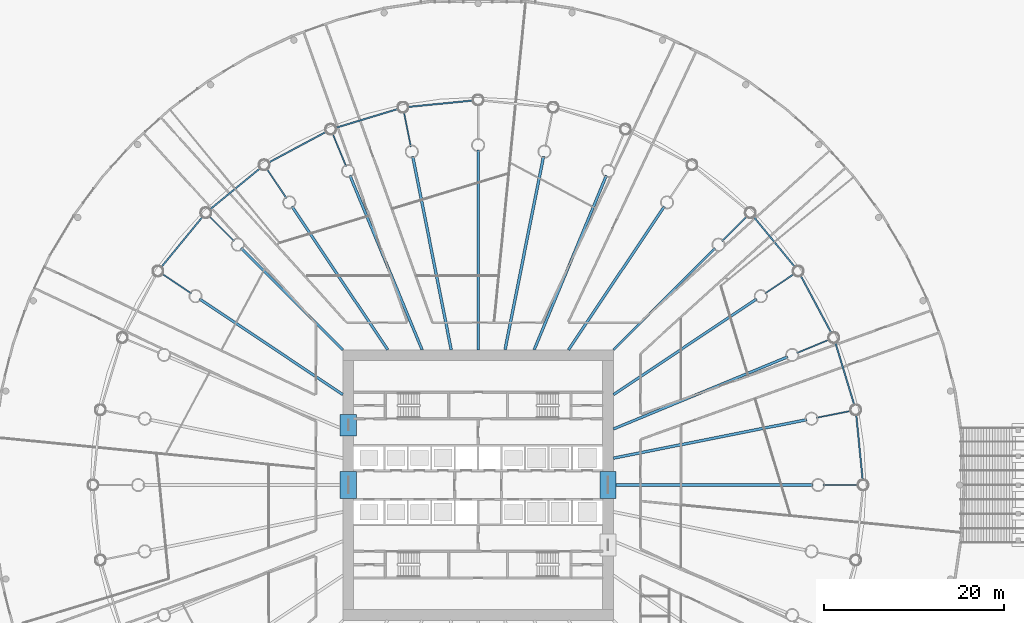
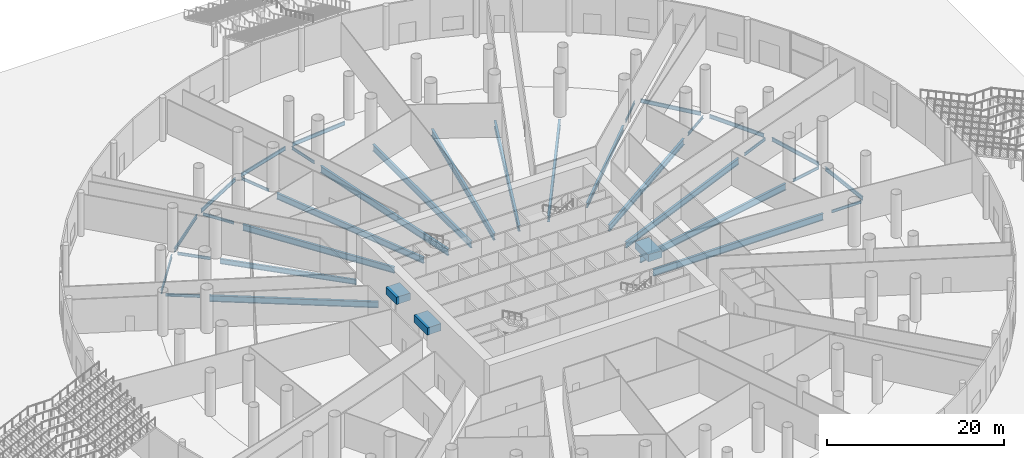
# One storey, part 9 of 33: 36 beams.
"""IFC4 building model written with IfcOpenShell, lengths in metres."""

import ifcopenshell
import ifcopenshell.guid

model = None  # the IFC model being written
_history = None  # IfcOwnerHistory: only IFC2X3 demands one
_inside = {}  # id of a spatial element -> (the spatial element, [elements in it])
_under = {}  # id of a project, library or spatial element -> (it, [spatial elements below it])
_declared = {}  # id of a project -> (the project, [libraries it declares])
_typed = {}  # id of a type object -> (the type object, [elements of that type])
_made_of = {}  # id of a material, layer set ... -> (it, [elements and type objects made of it])


def new_model(schema):
    """Start an empty IFC model of exactly this schema.

    Asked for "IFC4X3", IfcOpenShell would pick the latest addendum, in which some entities
    have other attributes; the version numbers below select the first issue.
    IFC2X3 requires an IfcOwnerHistory on every rooted entity: one is made here for all.
    """
    global model, _history
    if schema == "IFC4X3":
        model = ifcopenshell.file(schema_version=(4, 3, 0, 0))
    else:
        model = ifcopenshell.file(schema=schema)
    _inside.clear()
    _under.clear()
    _declared.clear()
    _typed.clear()
    _made_of.clear()
    _history = None
    if model.schema == "IFC2X3":
        org = make("IfcOrganization", Name="unknown")
        user = make(
            "IfcPersonAndOrganization",
            ThePerson=make("IfcPerson", FamilyName="unknown"),
            TheOrganization=org,
        )
        app = make(
            "IfcApplication",
            ApplicationDeveloper=org,
            Version="unknown",
            ApplicationFullName="unknown",
            ApplicationIdentifier="unknown",
        )
        _history = make(
            "IfcOwnerHistory",
            OwningUser=user,
            OwningApplication=app,
            ChangeAction="ADDED",
            CreationDate=0,
        )
    return model


def make(cls, **values):
    """One entity of the class cls with the attributes given. An attribute that is None is left unset."""
    return model.create_entity(
        cls, **{name: value for name, value in values.items() if value is not None}
    )


def rooted(cls, **values):
    """An entity with a GlobalId (a new one), such as an element, a storey or a relation."""
    return make(cls, GlobalId=ifcopenshell.guid.new(), OwnerHistory=_history, **values)


def si_unit(unit_type, name, prefix=None):
    """IfcSIUnit, for example si_unit("LENGTHUNIT", "METRE", prefix="MILLI")."""
    return make("IfcSIUnit", UnitType=unit_type, Prefix=prefix, Name=name)


def assignment(units):
    """IfcUnitAssignment: the units of a project."""
    return None if units is None else make("IfcUnitAssignment", Units=units)


def point(xyz):
    """IfcCartesianPoint."""
    return None if xyz is None else make("IfcCartesianPoint", Coordinates=xyz)


def direction(xyz):
    """IfcDirection."""
    return None if xyz is None else make("IfcDirection", DirectionRatios=xyz)


def frame(location, z_axis=None, x_axis=None):
    """IfcAxis2Placement3D, a coordinate frame: its origin and axes. An axis left out is left unset."""
    return make(
        "IfcAxis2Placement3D",
        Location=point(location),
        Axis=direction(z_axis),
        RefDirection=direction(x_axis),
    )


def frame_2d(location, x_axis=None):
    """IfcAxis2Placement2D, a coordinate frame in the plane: its origin and x axis."""
    return make(
        "IfcAxis2Placement2D", Location=point(location), RefDirection=direction(x_axis)
    )


def origin():
    """The frame at (0, 0, 0) with its axes left unset."""
    return frame((0.0, 0.0, 0.0))


def origin_2d():
    """The frame at (0, 0) in the plane with its x axis left unset."""
    return frame_2d((0.0, 0.0))


def place(relative_to, where):
    """IfcLocalPlacement: puts the frame where relative to a parent placement (None: the world)."""
    return make(
        "IfcLocalPlacement", PlacementRelTo=relative_to, RelativePlacement=where
    )


def context(
    kind, dimensions, precision=None, world=None, true_north=None, identifier=None
):
    """IfcGeometricRepresentationContext, for example the 3D "Model" context."""
    return make(
        "IfcGeometricRepresentationContext",
        ContextIdentifier=identifier,
        ContextType=kind,
        CoordinateSpaceDimension=dimensions,
        Precision=precision,
        WorldCoordinateSystem=world,
        TrueNorth=true_north,
    )


def subcontext(parent, identifier, kind, view, scale=None):
    """IfcGeometricRepresentationSubContext, for example "Body" below "Model"."""
    return make(
        "IfcGeometricRepresentationSubContext",
        ContextIdentifier=identifier,
        ContextType=kind,
        ParentContext=parent,
        TargetScale=scale,
        TargetView=view,
    )


def project(units=None, contexts=None):
    """IfcProject with its units and contexts."""
    return rooted(
        "IfcProject",
        Name="project",
        RepresentationContexts=contexts,
        UnitsInContext=assignment(units),
    )


def spatial(cls, under=None, at=None, **own):
    """A site, building, storey or space (cls), placed at a placement, below another one or the project."""
    s = rooted(cls, ObjectPlacement=at, **own)
    if under is not None:
        _under.setdefault(under.id(), (under, []))[1].append(s)
    return s


def profile(cls, at=None, kind="AREA", **sizes):
    """A parametric profile (cls). Its sizes go by their IFC names, for example OverallWidth=200.0."""
    return make(cls, ProfileType=kind, Position=at, **sizes)


def rectangle(**sizes):
    """IfcRectangleProfileDef."""
    return profile("IfcRectangleProfileDef", **sizes)


def i_section(**sizes):
    """IfcIShapeProfileDef."""
    return profile("IfcIShapeProfileDef", **sizes)


def extrude(swept, where, along, depth):
    """IfcExtrudedAreaSolid: the profile swept, set in the frame where, extruded along a direction by depth."""
    return make(
        "IfcExtrudedAreaSolid",
        SweptArea=swept,
        Position=where,
        ExtrudedDirection=direction(along),
        Depth=depth,
    )


def shape(context_of_items, identifier, shape_type, items):
    """IfcShapeRepresentation: the items that make up one representation, for example the "Body"."""
    return make(
        "IfcShapeRepresentation",
        ContextOfItems=context_of_items,
        RepresentationIdentifier=identifier,
        RepresentationType=shape_type,
        Items=items,
    )


def material(Name=None, Category=None):
    """IfcMaterial."""
    return make("IfcMaterial", Name=Name, Category=Category)


def material_profile(
    of_material, cross_section, Name=None, Category=None, Priority=None
):
    """IfcMaterialProfile: a cross section and its material."""
    return make(
        "IfcMaterialProfile",
        Name=Name,
        Material=of_material,
        Profile=cross_section,
        Priority=Priority,
        Category=Category,
    )


def profile_set(profiles, Name=None, composite=None):
    """IfcMaterialProfileSet."""
    return make(
        "IfcMaterialProfileSet",
        Name=Name,
        MaterialProfiles=profiles,
        CompositeProfile=composite,
    )


def made_of(thing, what):
    """Note that an element or type object is made of a material, layer set ...; save() writes the relation."""
    if what is not None:
        _made_of.setdefault(what.id(), (what, []))[1].append(thing)
    return thing


def type_object(cls, material=None, **own):
    """A type object (cls), such as IfcWallType, which elements share."""
    return made_of(rooted(cls, **own), material)


def element(
    cls,
    number,
    at=None,
    inside=None,
    cuts=None,
    type_object=None,
    material=None,
    context=None,
    identifier="Body",
    shape_type=None,
    held_by="IfcProductDefinitionShape",
    body=None,
    shapes=None,
    **own,
):
    """One element of the class cls, such as IfcWall. Its Tag is "e" and its number.

    at: its placement. inside: the storey or other place that contains it. cuts: it is an
    opening in that element (IfcRelVoidsElement). A single representation is given by context,
    identifier, shape_type and body (its items); several are given by shapes. held_by: the class
    of the entity that holds the representations. save() writes the other relations.
    """
    e = rooted(cls, Tag="e%d" % number, ObjectPlacement=at, **own)
    if body is not None:
        shapes = [shape(context, identifier, shape_type, body)]
    if shapes is not None:
        e.Representation = make(held_by, Representations=shapes)
    if inside is not None:
        _inside.setdefault(inside.id(), (inside, []))[1].append(e)
    if cuts is not None:
        rooted(
            "IfcRelVoidsElement", RelatingBuildingElement=cuts, RelatedOpeningElement=e
        )
    if type_object is not None:
        _typed.setdefault(type_object.id(), (type_object, []))[1].append(e)
    return made_of(e, material)


def aggregate(whole, parts):
    """IfcRelAggregates: a whole, such as a stair, and the parts it consists of."""
    return rooted("IfcRelAggregates", RelatingObject=whole, RelatedObjects=parts)


def save(model, path):
    """Write the relations noted so far, then the file.

    IfcRelAggregates (storeys below a building ...), IfcRelContainedInSpatialStructure (elements
    in a storey), IfcRelDefinesByType, IfcRelAssociatesMaterial and IfcRelDeclares: one each for
    every whole, place, type object, material and project.
    """
    for whole, parts in _under.values():
        aggregate(whole, parts)
    for where, things in _inside.values():
        rooted(
            "IfcRelContainedInSpatialStructure",
            RelatedElements=things,
            RelatingStructure=where,
        )
    for kind, things in _typed.values():
        rooted("IfcRelDefinesByType", RelatedObjects=things, RelatingType=kind)
    for what, things in _made_of.values():
        rooted("IfcRelAssociatesMaterial", RelatedObjects=things, RelatingMaterial=what)
    for by, libraries in _declared.values():
        rooted("IfcRelDeclares", RelatingContext=by, RelatedDefinitions=libraries)
    model.write(path)


model = new_model("IFC4")

# Units and contexts
model_context = context("Model", 3, precision=1e-05, world=origin(), true_north=direction((0.0, 1.0)))
body_context = subcontext(model_context, "Body", "Model", "MODEL_VIEW")
ifc_project = project(units=[si_unit("LENGTHUNIT", "METRE"), si_unit("AREAUNIT", "SQUARE_METRE"), si_unit("VOLUMEUNIT", "CUBIC_METRE"), si_unit("PLANEANGLEUNIT", "RADIAN"), si_unit("MASSUNIT", "GRAM", prefix="KILO")], contexts=[model_context])

# Site, building, storey
site_placement = place(None, origin())
site = spatial("IfcSite", under=ifc_project, at=site_placement, CompositionType="ELEMENT")
building_placement = place(site_placement, origin())
building = spatial("IfcBuilding", under=site, at=building_placement, Name="Corvane Civic Tower", CompositionType="ELEMENT")
storey_placement = place(building_placement, origin())
storey = spatial("IfcBuildingStorey", under=building, at=storey_placement, Name="G", CompositionType="ELEMENT", Elevation=0.0)

# Beams
ifc_material_1 = material(Name="Concrete C80/95", Category="concrete")
ifc_material_profile_1 = material_profile(ifc_material_1, rectangle(XDim=1.800048828125, YDim=1.0, at=origin_2d()), Name="COUPLING BEAM 1800X1000")
ifc_profile_set_1 = profile_set([ifc_material_profile_1], Name="Concrete C80/95")
beam_type_1 = type_object("IfcBeamType", Name="COUPLING BEAM COUPLING BEAM 1800X1000", PredefinedType="BEAM", material=ifc_profile_set_1)
for number, where, z_axis, x_axis, name in (
    (1, (-14.39990234375, -1.5, 2.60009765625), (0.0, 1.0, 0.0), (-1.0, 0.0, 0.0), "BM-G-cpl-CW-LW"),
    (2, (14.39990234375, -1.5, 2.60009765625), (0.0, 1.0, 0.0), (-1.0, 0.0, 0.0), "BM-G-cpl-CW-LE"),
):
    element("IfcBeam", number, at=place(storey_placement, frame(where, z_axis=z_axis, x_axis=x_axis)), inside=storey, type_object=beam_type_1, Name=name, PredefinedType="BEAM", context=body_context, shape_type="SweptSolid", body=[
        extrude(rectangle(XDim=1.800048828125, YDim=1.0, at=origin_2d()), origin(), (0.0, 0.0, 1.0), 3.0),
    ])
beam_1_placement = place(storey_placement, frame((-14.39990234375, 5.449951171875, 2.60009765625), z_axis=(0.0, 1.0, 0.0), x_axis=(-1.0, 0.0, 0.0)))
element("IfcBeam", 3, at=beam_1_placement, inside=storey, type_object=beam_type_1, Name="BM-G-cpl-CW-WN", PredefinedType="BEAM", context=body_context, shape_type="SweptSolid", body=[
    extrude(rectangle(XDim=1.800048828125, YDim=1.0, at=origin_2d()), origin(), (0.0, 0.0, 1.0), 2.400146484375),
])
ifc_material_2 = material(Name="Steel ASTM A992 Gr 50", Category="steel")
ifc_material_profile_2 = material_profile(ifc_material_2, i_section(OverallWidth=0.165771484375, OverallDepth=0.5283203125, WebThickness=0.009765625, FlangeThickness=0.013671875, at=origin_2d()), Name="W21X50")
ifc_profile_set_2 = profile_set([ifc_material_profile_2], Name="Steel ASTM A992 Gr 50")
beam_type_2 = type_object("IfcBeamType", Name="EDGE BEAM W21X50", PredefinedType="BEAM", material=ifc_profile_set_2)
for number, where, z_axis, x_axis, name in (
    (4, (30.542236328125, 29.768310546875, -0.564208984375), (0.634396365205, -0.773007924807, 0.0), (0.773007924807, 0.634396365205, 0.0), "BM-G-E05"),
    (5, (35.762939453125, 23.23779296875, -0.564208984375), (0.471412394598, -0.881912894916, 0.0), (0.881912894916, 0.471412394598, 0.0), "BM-G-E06"),
):
    element("IfcBeam", number, at=place(storey_placement, frame(where, z_axis=z_axis, x_axis=x_axis)), inside=storey, type_object=beam_type_2, Name=name, PredefinedType="BEAM", context=body_context, shape_type="SweptSolid", body=[
        extrude(i_section(OverallWidth=0.165771484375, OverallDepth=0.5283203125, WebThickness=0.009765625, FlangeThickness=0.013671875, at=origin_2d()), origin(), (0.0, 0.0, 1.0), 7.270751953125),
    ])
for number, where, z_axis, x_axis, name in (
    (6, (39.609375, 15.814208984375, -0.564208984375), (0.290291633127, -0.956938225664, 0.0), (0.956938225664, 0.290291633127, 0.0), "BM-G-E07"),
    (7, (41.93359375, 7.782958984375, -0.564208984375), (0.097984225478, -0.995187967953, 0.0), (0.995187967953, 0.097984225478, 0.0), "BM-G-E08"),
):
    element("IfcBeam", number, at=place(storey_placement, frame(where, z_axis=z_axis, x_axis=x_axis)), inside=storey, type_object=beam_type_2, Name=name, PredefinedType="BEAM", context=body_context, shape_type="SweptSolid", body=[
        extrude(i_section(OverallWidth=0.165771484375, OverallDepth=0.5283203125, WebThickness=0.009765625, FlangeThickness=0.013671875, at=origin_2d()), origin(), (0.0, 0.0, 1.0), 7.2705078125),
    ])
for number, where, z_axis, x_axis, name in (
    (8, (-35.15478515625, 24.14794921875, -0.564208984375), (0.634396365205, 0.773007924807, 0.0), (-0.773007924807, 0.634396365205, 0.0), "BM-G-E28"),
    (9, (-29.768310546875, 30.542236328125, -0.564208984375), (0.773007924807, 0.634396365205, 0.0), (-0.634396365205, 0.773007924807, 0.0), "BM-G-E29"),
    (10, (-23.23779296875, 35.762939453125, -0.564208984375), (0.881912894916, 0.471412394598, 0.0), (-0.471412394598, 0.881912894916, 0.0), "BM-G-E30"),
):
    element("IfcBeam", number, at=place(storey_placement, frame(where, z_axis=z_axis, x_axis=x_axis)), inside=storey, type_object=beam_type_2, Name=name, PredefinedType="BEAM", context=body_context, shape_type="SweptSolid", body=[
        extrude(i_section(OverallWidth=0.165771484375, OverallDepth=0.5283203125, WebThickness=0.009765625, FlangeThickness=0.013671875, at=origin_2d()), origin(), (0.0, 0.0, 1.0), 7.270751953125),
    ])
for number, where, z_axis, x_axis, name in (
    (11, (-15.814208984375, 39.609375, -0.564208984375), (0.956938225664, 0.290291633127, 0.0), (-0.290291633127, 0.956938225664, 0.0), "BM-G-E31"),
    (12, (-7.782958984375, 41.93359375, -0.564208984375), (0.995187967953, 0.097984225478, 0.0), (-0.097984225478, 0.995187967953, 0.0), "BM-G-E32"),
):
    element("IfcBeam", number, at=place(storey_placement, frame(where, z_axis=z_axis, x_axis=x_axis)), inside=storey, type_object=beam_type_2, Name=name, PredefinedType="BEAM", context=body_context, shape_type="SweptSolid", body=[
        extrude(i_section(OverallWidth=0.165771484375, OverallDepth=0.5283203125, WebThickness=0.009765625, FlangeThickness=0.013671875, at=origin_2d()), origin(), (0.0, 0.0, 1.0), 7.2705078125),
    ])
ifc_material_3 = material(Name="Steel ASTM A992 Gr 50", Category="steel")
ifc_material_profile_3 = material_profile(ifc_material_3, i_section(OverallWidth=0.140380859375, OverallDepth=0.40380859375, WebThickness=0.007080078125, FlangeThickness=0.01123046875, at=origin_2d()), Name="W16X31")
ifc_profile_set_3 = profile_set([ifc_material_profile_3], Name="Steel ASTM A992 Gr 50")
beam_type_3 = type_object("IfcBeamType", Name="FLOOR GIRDER W16X31", PredefinedType="BEAM", material=ifc_profile_set_3)
for number, where, z_axis, x_axis, name in (
    (13, (27.046875, 27.046875, -0.501953125), (0.707106781187, 0.707106781187, 0.0), (-0.707106781187, 0.707106781187, 0.0), "BM-G-G05b"),
    (14, (31.8037109375, 21.25048828125, -0.501953125), (0.831462344301, 0.555581110199, 0.0), (-0.555581110199, 0.831462344301, 0.0), "BM-G-G06b"),
    (15, (35.33837890625, 14.6376953125, -0.501953125), (0.923878730261, 0.382685369162, 0.0), (-0.382685369162, 0.923878730261, 0.0), "BM-G-G07b"),
    (16, (37.51513671875, 7.462158203125, -0.501953125), (0.980777614264, 0.195128858343, 0.0), (-0.195128858343, 0.980777614264, 0.0), "BM-G-G08b"),
    (17, (38.25, 0.0, -0.501953125), (1.0, 0.0, 0.0), (0.0, 1.0, 0.0), "BM-G-G09b"),
    (18, (-31.8037109375, 21.25048828125, -0.501953125), (-0.831462344301, 0.555581110199, 0.0), (-0.555581110199, -0.831462344301, 0.0), "BM-G-G28b"),
    (19, (-27.046875, 27.046875, -0.501953125), (-0.707106781187, 0.707106781187, 0.0), (-0.707106781187, -0.707106781187, 0.0), "BM-G-G29b"),
    (20, (-21.25048828125, 31.8037109375, -0.501953125), (-0.555581110199, 0.831462344301, 0.0), (-0.831462344301, -0.555581110199, 0.0), "BM-G-G30b"),
    (21, (-14.6376953125, 35.33837890625, -0.501953125), (-0.382685369162, 0.923878730261, 0.0), (-0.923878730261, -0.382685369162, 0.0), "BM-G-G31b"),
    (22, (-7.462158203125, 37.51513671875, -0.501953125), (-0.195128858343, 0.980777614264, 0.0), (-0.980777614264, -0.195128858343, 0.0), "BM-G-G32b"),
):
    element("IfcBeam", number, at=place(storey_placement, frame(where, z_axis=z_axis, x_axis=x_axis)), inside=storey, type_object=beam_type_3, Name=name, PredefinedType="BEAM", context=body_context, shape_type="SweptSolid", body=[
        extrude(i_section(OverallWidth=0.140380859375, OverallDepth=0.40380859375, WebThickness=0.007080078125, FlangeThickness=0.01123046875, at=origin_2d()), origin(), (0.0, 0.0, 1.0), 3.89990234375),
    ])
ifc_material_4 = material(Name="Steel ASTM A992 Gr 50", Category="steel")
ifc_material_profile_4 = material_profile(ifc_material_4, i_section(OverallWidth=0.25390625, OverallDepth=0.67822265625, WebThickness=0.01171875, FlangeThickness=0.016357421875, at=origin_2d()), Name="W27X84")
ifc_profile_set_4 = profile_set([ifc_material_profile_4], Name="Steel ASTM A992 Gr 50")
beam_type_4 = type_object("IfcBeamType", Name="FLOOR GIRDER W27X84", PredefinedType="BEAM", material=ifc_profile_set_4)
for number, where, z_axis, x_axis, name in (
    (23, (15.0, 15.0, -0.63916015625), (0.707106781187, 0.707106781187, 0.0), (-0.707106781187, 0.707106781187, 0.0), "BM-G-G05"),
    (24, (-15.0, 15.0, -0.63916015625), (-0.707106781187, 0.707106781187, 0.0), (-0.707106781187, -0.707106781187, 0.0), "BM-G-G29"),
):
    element("IfcBeam", number, at=place(storey_placement, frame(where, z_axis=z_axis, x_axis=x_axis)), inside=storey, type_object=beam_type_4, Name=name, PredefinedType="BEAM", context=body_context, shape_type="SweptSolid", body=[
        extrude(i_section(OverallWidth=0.25390625, OverallDepth=0.67822265625, WebThickness=0.01171875, FlangeThickness=0.016357421875, at=origin_2d()), origin(), (0.0, 0.0, 1.0), 15.936767578125),
    ])
ifc_material_5 = material(Name="Steel ASTM A992 Gr 50", Category="steel")
ifc_material_profile_5 = material_profile(ifc_material_5, i_section(OverallWidth=0.2919921875, OverallDepth=0.845703125, WebThickness=0.015380859375, FlangeThickness=0.0244140625, at=origin_2d()), Name="W33X141")
ifc_profile_set_5 = profile_set([ifc_material_profile_5], Name="Steel ASTM A992 Gr 50")
beam_type_5 = type_object("IfcBeamType", Name="FLOOR GIRDER W33X141", PredefinedType="BEAM", material=ifc_profile_set_5)
beam_2_placement = place(storey_placement, frame((6.213134765625, 15.0, -0.722900390625), z_axis=(0.382692360381, 0.923875834355, 0.0), x_axis=(-0.923875834355, 0.382692360381, 0.0)))
element("IfcBeam", 25, at=beam_2_placement, inside=storey, type_object=beam_type_5, Name="BM-G-G03", PredefinedType="BEAM", context=body_context, shape_type="SweptSolid", body=[
    extrude(i_section(OverallWidth=0.2919921875, OverallDepth=0.845703125, WebThickness=0.015380859375, FlangeThickness=0.0244140625, at=origin_2d()), origin(), (0.0, 0.0, 1.0), 20.9140625),
])
for number, where, z_axis, x_axis, name in (
    (26, (10.022705078125, 15.0, -0.722900390625), (0.555566681385, 0.831471985418, 0.0), (-0.831471985418, 0.555566681385, 0.0), "BM-G-G04"),
    (27, (15.0, 10.022705078125, -0.722900390625), (0.831471985418, 0.555566681385, 0.0), (-0.555566681385, 0.831471985418, 0.0), "BM-G-G06"),
):
    element("IfcBeam", number, at=place(storey_placement, frame(where, z_axis=z_axis, x_axis=x_axis)), inside=storey, type_object=beam_type_5, Name=name, PredefinedType="BEAM", context=body_context, shape_type="SweptSolid", body=[
        extrude(i_section(OverallWidth=0.2919921875, OverallDepth=0.845703125, WebThickness=0.015380859375, FlangeThickness=0.0244140625, at=origin_2d()), origin(), (0.0, 0.0, 1.0), 19.109619140625),
    ])
beam_3_placement = place(storey_placement, frame((15.0, 6.213134765625, -0.722900390625), z_axis=(0.923875834355, 0.382692360381, 0.0), x_axis=(-0.382692360381, 0.923875834355, 0.0)))
element("IfcBeam", 28, at=beam_3_placement, inside=storey, type_object=beam_type_5, Name="BM-G-G07", PredefinedType="BEAM", context=body_context, shape_type="SweptSolid", body=[
    extrude(i_section(OverallWidth=0.2919921875, OverallDepth=0.845703125, WebThickness=0.015380859375, FlangeThickness=0.0244140625, at=origin_2d()), origin(), (0.0, 0.0, 1.0), 20.9140625),
])
for number, where, z_axis, x_axis, name in (
    (29, (-15.0, 10.022705078125, -0.722900390625), (-0.831471985418, 0.555566681385, 0.0), (-0.555566681385, -0.831471985418, 0.0), "BM-G-G28"),
    (30, (-10.022705078125, 15.0, -0.722900390625), (-0.555566681385, 0.831471985418, 0.0), (-0.831471985418, -0.555566681385, 0.0), "BM-G-G30"),
):
    element("IfcBeam", number, at=place(storey_placement, frame(where, z_axis=z_axis, x_axis=x_axis)), inside=storey, type_object=beam_type_5, Name=name, PredefinedType="BEAM", context=body_context, shape_type="SweptSolid", body=[
        extrude(i_section(OverallWidth=0.2919921875, OverallDepth=0.845703125, WebThickness=0.015380859375, FlangeThickness=0.0244140625, at=origin_2d()), origin(), (0.0, 0.0, 1.0), 19.109619140625),
    ])
beam_4_placement = place(storey_placement, frame((-6.213134765625, 15.0, -0.722900390625), z_axis=(-0.382692360381, 0.923875834355, 0.0), x_axis=(-0.923875834355, -0.382692360381, 0.0)))
element("IfcBeam", 31, at=beam_4_placement, inside=storey, type_object=beam_type_5, Name="BM-G-G31", PredefinedType="BEAM", context=body_context, shape_type="SweptSolid", body=[
    extrude(i_section(OverallWidth=0.2919921875, OverallDepth=0.845703125, WebThickness=0.015380859375, FlangeThickness=0.0244140625, at=origin_2d()), origin(), (0.0, 0.0, 1.0), 20.9140625),
])
ifc_material_6 = material(Name="Steel ASTM A992 Gr 50", Category="steel")
ifc_material_profile_6 = material_profile(ifc_material_6, i_section(OverallWidth=0.3046875, OverallDepth=0.911865234375, WebThickness=0.015869140625, FlangeThickness=0.02392578125, at=origin_2d()), Name="W36X150")
ifc_profile_set_6 = profile_set([ifc_material_profile_6], Name="Steel ASTM A992 Gr 50")
beam_type_6 = type_object("IfcBeamType", Name="FLOOR GIRDER W36X150", PredefinedType="BEAM", material=ifc_profile_set_6)
beam_5_placement = place(storey_placement, frame((0.0, 15.0, -0.755859375), z_axis=(0.0, 1.0, 0.0), x_axis=(-1.0, 0.0, 0.0)))
element("IfcBeam", 32, at=beam_5_placement, inside=storey, type_object=beam_type_6, Name="BM-G-G01", PredefinedType="BEAM", context=body_context, shape_type="SweptSolid", body=[
    extrude(i_section(OverallWidth=0.3046875, OverallDepth=0.911865234375, WebThickness=0.015869140625, FlangeThickness=0.02392578125, at=origin_2d()), origin(), (0.0, 0.0, 1.0), 22.14990234375),
])
for number, where, z_axis, x_axis, name in (
    (33, (2.983642578125, 15.0, -0.755859375), (0.195089219638, 0.980785499679, 0.0), (-0.980785499679, 0.195089219638, 0.0), "BM-G-G02"),
    (34, (15.0, 2.983642578125, -0.755859375), (0.980785499679, 0.195089219638, 0.0), (-0.195089219638, 0.980785499679, 0.0), "BM-G-G08"),
):
    element("IfcBeam", number, at=place(storey_placement, frame(where, z_axis=z_axis, x_axis=x_axis)), inside=storey, type_object=beam_type_6, Name=name, PredefinedType="BEAM", context=body_context, shape_type="SweptSolid", body=[
        extrude(i_section(OverallWidth=0.3046875, OverallDepth=0.911865234375, WebThickness=0.015869140625, FlangeThickness=0.02392578125, at=origin_2d()), origin(), (0.0, 0.0, 1.0), 21.856201171875),
    ])
beam_6_placement = place(storey_placement, frame((15.0, 0.0, -0.755859375), z_axis=(1.0, 0.0, 0.0), x_axis=(0.0, 1.0, 0.0)))
element("IfcBeam", 35, at=beam_6_placement, inside=storey, type_object=beam_type_6, Name="BM-G-G09", PredefinedType="BEAM", context=body_context, shape_type="SweptSolid", body=[
    extrude(i_section(OverallWidth=0.3046875, OverallDepth=0.911865234375, WebThickness=0.015869140625, FlangeThickness=0.02392578125, at=origin_2d()), origin(), (0.0, 0.0, 1.0), 22.14990234375),
])
beam_7_placement = place(storey_placement, frame((-2.983642578125, 15.0, -0.755859375), z_axis=(-0.195089219638, 0.980785499679, 0.0), x_axis=(-0.980785499679, -0.195089219638, 0.0)))
element("IfcBeam", 36, at=beam_7_placement, inside=storey, type_object=beam_type_6, Name="BM-G-G32", PredefinedType="BEAM", context=body_context, shape_type="SweptSolid", body=[
    extrude(i_section(OverallWidth=0.3046875, OverallDepth=0.911865234375, WebThickness=0.015869140625, FlangeThickness=0.02392578125, at=origin_2d()), origin(), (0.0, 0.0, 1.0), 21.856201171875),
])

save(model, "model.ifc")
